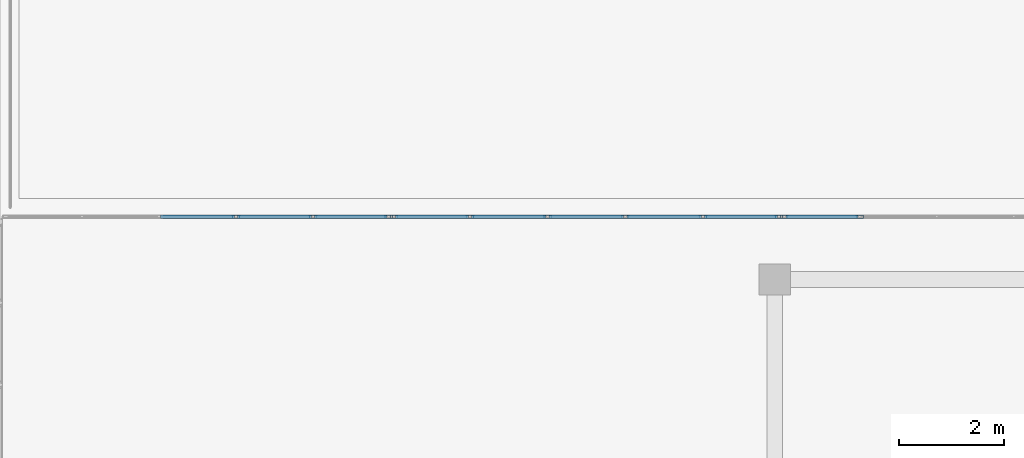
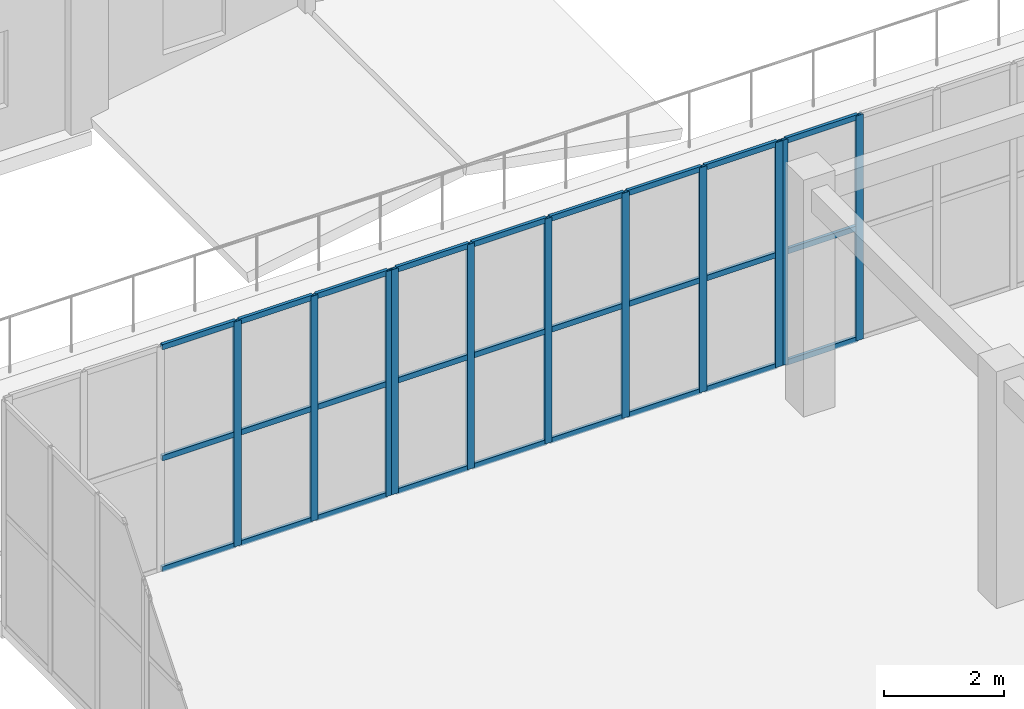
# One storey, part 82 of 158: 38 members, 3 elements without a shape of their own.
"""IFC4 building model written with IfcOpenShell, lengths in metres."""

from ifc_helpers import new_model, si_unit, direction, frame, origin, origin_2d, place, context, subcontext, project, spatial, hollow_rectangle, extrude, material, layer, layer_set, material_profile, profile_set, type_object, element, aggregate, save


model = new_model("IFC4")

# Units and contexts
model_context = context("Model", 3, precision=1e-05, world=origin(), true_north=direction((0.0, 1.0)))
body_context = subcontext(model_context, "Body", "Model", "MODEL_VIEW")
ifc_project = project(units=[si_unit("LENGTHUNIT", "METRE"), si_unit("AREAUNIT", "SQUARE_METRE"), si_unit("VOLUMEUNIT", "CUBIC_METRE"), si_unit("PLANEANGLEUNIT", "RADIAN"), si_unit("MASSUNIT", "GRAM", prefix="KILO")], contexts=[model_context])

# Site, building, storey
site_placement = place(None, origin())
site = spatial("IfcSite", under=ifc_project, at=site_placement, CompositionType="ELEMENT")
building_placement = place(site_placement, origin())
building = spatial("IfcBuilding", under=site, at=building_placement, Name="Trelvath General Hospital", CompositionType="ELEMENT")
storey_placement = place(building_placement, frame((0.0, 0.0, 8.10009765625)))
storey = spatial("IfcBuildingStorey", under=building, at=storey_placement, Name="L02", CompositionType="ELEMENT", Elevation=8.10009765625)

# Curtain wall, members
ifc_material_1 = material(Name="Anodised aluminium and low-E glass", Category="aluminium")
ifc_layer_1 = layer(ifc_material_1, 0.139892578125)
ifc_layer_set_1 = layer_set([ifc_layer_1], Name="Anodised aluminium and low-E glass")
curtain_wall_type_1 = type_object("IfcCurtainWallType", Name="CW CrystalCube 737 456 14", PredefinedType="USERDEFINED", material=ifc_layer_set_1)
curtain_wall_1_placement = place(storey_placement, origin())
curtain_wall_1 = element("IfcCurtainWall", 1, at=curtain_wall_1_placement, inside=storey, type_object=curtain_wall_type_1, Name="Crystal Cube Curtain Wall CUBE-E-T1 N1 L02", ObjectType="Unitised Glazed Curtain Wall", PredefinedType="USERDEFINED")
ifc_material_2 = material(Name="Anodised aluminium", Category="aluminium")
ifc_material_profile_1 = material_profile(ifc_material_2, hollow_rectangle(XDim=0.06005859375, YDim=0.139892578125, WallThickness=0.00390625, at=origin_2d()), Name="RHS60x140x4")
ifc_profile_set_1 = profile_set([ifc_material_profile_1], Name="Anodised aluminium")
member_type_1 = type_object("IfcMemberType", Name="CurtainMullion 60x140", PredefinedType="MULLION", material=ifc_profile_set_1)
member_1_placement = place(storey_placement, frame((96.89990234375, 80.39990234375, 0.0), z_axis=(0.0, 0.0, 1.0), x_axis=(0.0, 1.0, 0.0)))
member_1 = element("IfcMember", 2, at=member_1_placement, type_object=member_type_1, Name="CW-208 mullion 4", PredefinedType="MULLION", context=body_context, shape_type="SweptSolid", body=[
    extrude(hollow_rectangle(XDim=0.06005859375, YDim=0.139892578125, WallThickness=0.00390625, at=origin_2d()), origin(), (0.0, 0.0, 1.0), 4.559814453125),
])
member_2_placement = place(storey_placement, frame((98.373291015625, 80.39990234375, 0.0), z_axis=(0.0, 0.0, 1.0), x_axis=(0.0, 1.0, 0.0)))
member_2 = element("IfcMember", 3, at=member_2_placement, type_object=member_type_1, Name="CW-208 mullion 5", PredefinedType="MULLION", context=body_context, shape_type="SweptSolid", body=[
    extrude(hollow_rectangle(XDim=0.06005859375, YDim=0.139892578125, WallThickness=0.00390625, at=origin_2d()), origin(), (0.0, 0.0, 1.0), 4.559814453125),
])
member_3_placement = place(storey_placement, frame((99.816650390625, 80.39990234375, 0.0), z_axis=(0.0, 0.0, 1.0), x_axis=(0.0, 1.0, 0.0)))
member_3 = element("IfcMember", 4, at=member_3_placement, type_object=member_type_1, Name="CW-208 mullion 6", PredefinedType="MULLION", context=body_context, shape_type="SweptSolid", body=[
    extrude(hollow_rectangle(XDim=0.06005859375, YDim=0.139892578125, WallThickness=0.00390625, at=origin_2d()), origin(), (0.0, 0.0, 1.0), 4.559814453125),
])

ifc_material_3 = material(Name="Anodised aluminium and low-E glass", Category="aluminium")
ifc_layer_2 = layer(ifc_material_3, 0.139892578125)
ifc_layer_set_2 = layer_set([ifc_layer_2], Name="Anodised aluminium and low-E glass")
curtain_wall_type_2 = type_object("IfcCurtainWallType", Name="CW CrystalCube 743 456 14", PredefinedType="USERDEFINED", material=ifc_layer_set_2)
curtain_wall_2_placement = place(storey_placement, origin())
curtain_wall_2 = element("IfcCurtainWall", 5, at=curtain_wall_2_placement, inside=storey, type_object=curtain_wall_type_2, Name="Crystal Cube Curtain Wall CUBE-E-T1 N2 L02", ObjectType="Unitised Glazed Curtain Wall", PredefinedType="USERDEFINED")
member_4_placement = place(storey_placement, frame((99.916748046875, 80.39990234375, 0.0), z_axis=(0.0, 0.0, 1.0), x_axis=(0.0, 1.0, 0.0)))
member_4 = element("IfcMember", 6, at=member_4_placement, type_object=member_type_1, Name="CW-209 mullion 1", PredefinedType="MULLION", context=body_context, shape_type="SweptSolid", body=[
    extrude(hollow_rectangle(XDim=0.06005859375, YDim=0.139892578125, WallThickness=0.00390625, at=origin_2d()), origin(), (0.0, 0.0, 1.0), 4.559814453125),
])
member_5_placement = place(storey_placement, frame((101.3720703125, 80.39990234375, 0.0), z_axis=(0.0, 0.0, 1.0), x_axis=(0.0, 1.0, 0.0)))
member_5 = element("IfcMember", 7, at=member_5_placement, type_object=member_type_1, Name="CW-209 mullion 2", PredefinedType="MULLION", context=body_context, shape_type="SweptSolid", body=[
    extrude(hollow_rectangle(XDim=0.06005859375, YDim=0.139892578125, WallThickness=0.00390625, at=origin_2d()), origin(), (0.0, 0.0, 1.0), 4.559814453125),
])
member_6_placement = place(storey_placement, frame((102.857421875, 80.39990234375, 0.0), z_axis=(0.0, 0.0, 1.0), x_axis=(0.0, 1.0, 0.0)))
member_6 = element("IfcMember", 8, at=member_6_placement, type_object=member_type_1, Name="CW-209 mullion 3", PredefinedType="MULLION", context=body_context, shape_type="SweptSolid", body=[
    extrude(hollow_rectangle(XDim=0.06005859375, YDim=0.139892578125, WallThickness=0.00390625, at=origin_2d()), origin(), (0.0, 0.0, 1.0), 4.559814453125),
])
member_7_placement = place(storey_placement, frame((104.3427734375, 80.39990234375, 0.0), z_axis=(0.0, 0.0, 1.0), x_axis=(0.0, 1.0, 0.0)))
member_7 = element("IfcMember", 9, at=member_7_placement, type_object=member_type_1, Name="CW-209 mullion 4", PredefinedType="MULLION", context=body_context, shape_type="SweptSolid", body=[
    extrude(hollow_rectangle(XDim=0.06005859375, YDim=0.139892578125, WallThickness=0.00390625, at=origin_2d()), origin(), (0.0, 0.0, 1.0), 4.559814453125),
])
member_8_placement = place(storey_placement, frame((105.827880859375, 80.39990234375, 0.0), z_axis=(0.0, 0.0, 1.0), x_axis=(0.0, 1.0, 0.0)))
member_8 = element("IfcMember", 10, at=member_8_placement, type_object=member_type_1, Name="CW-209 mullion 5", PredefinedType="MULLION", context=body_context, shape_type="SweptSolid", body=[
    extrude(hollow_rectangle(XDim=0.06005859375, YDim=0.139892578125, WallThickness=0.00390625, at=origin_2d()), origin(), (0.0, 0.0, 1.0), 4.559814453125),
])
member_9_placement = place(storey_placement, frame((107.283203125, 80.39990234375, 0.0), z_axis=(0.0, 0.0, 1.0), x_axis=(0.0, 1.0, 0.0)))
member_9 = element("IfcMember", 11, at=member_9_placement, type_object=member_type_1, Name="CW-209 mullion 6", PredefinedType="MULLION", context=body_context, shape_type="SweptSolid", body=[
    extrude(hollow_rectangle(XDim=0.06005859375, YDim=0.139892578125, WallThickness=0.00390625, at=origin_2d()), origin(), (0.0, 0.0, 1.0), 4.559814453125),
])

curtain_wall_3_placement = place(storey_placement, origin())
curtain_wall_3 = element("IfcCurtainWall", 12, at=curtain_wall_3_placement, inside=storey, type_object=curtain_wall_type_1, Name="Crystal Cube Curtain Wall CUBE-E-T1 N3 L02", ObjectType="Unitised Glazed Curtain Wall", PredefinedType="USERDEFINED")
member_10_placement = place(storey_placement, frame((107.38330078125, 80.39990234375, 0.0), z_axis=(0.0, 0.0, 1.0), x_axis=(0.0, 1.0, 0.0)))
member_10 = element("IfcMember", 13, at=member_10_placement, type_object=member_type_1, Name="CW-210 mullion 1", PredefinedType="MULLION", context=body_context, shape_type="SweptSolid", body=[
    extrude(hollow_rectangle(XDim=0.06005859375, YDim=0.139892578125, WallThickness=0.00390625, at=origin_2d()), origin(), (0.0, 0.0, 1.0), 4.559814453125),
])
member_11_placement = place(storey_placement, frame((108.82666015625, 80.39990234375, 0.0), z_axis=(0.0, 0.0, 1.0), x_axis=(0.0, 1.0, 0.0)))
member_11 = element("IfcMember", 14, at=member_11_placement, type_object=member_type_1, Name="CW-210 mullion 2", PredefinedType="MULLION", context=body_context, shape_type="SweptSolid", body=[
    extrude(hollow_rectangle(XDim=0.06005859375, YDim=0.139892578125, WallThickness=0.00390625, at=origin_2d()), origin(), (0.0, 0.0, 1.0), 4.559814453125),
])

# Member
ifc_material_4 = material(Name="Anodised aluminium", Category="aluminium")
ifc_material_profile_2 = material_profile(ifc_material_4, hollow_rectangle(XDim=0.06005859375, YDim=0.110107421875, WallThickness=0.00390625, at=origin_2d()), Name="RHS60x110x4")
ifc_profile_set_2 = profile_set([ifc_material_profile_2], Name="Anodised aluminium")
member_type_2 = type_object("IfcMemberType", Name="CurtainTransom 60x110", PredefinedType="USERDEFINED", material=ifc_profile_set_2)
member_12_placement = place(storey_placement, frame((95.456787109375, 80.39990234375, 0.02978515625), z_axis=(1.0, 0.0, 0.0), x_axis=(0.0, 1.0, 0.0)))
member_12 = element("IfcMember", 15, at=member_12_placement, type_object=member_type_2, Name="CW-208 transom 3.1", ObjectType="TRANSOM", PredefinedType="USERDEFINED", context=body_context, shape_type="SweptSolid", body=[
    extrude(hollow_rectangle(XDim=0.06005859375, YDim=0.110107421875, WallThickness=0.00390625, at=origin_2d()), origin(), (0.0, 0.0, 1.0), 1.413330078125),
])

member_13_placement = place(storey_placement, frame((95.456787109375, 80.39990234375, 2.27978515625), z_axis=(1.0, 0.0, 0.0), x_axis=(0.0, 1.0, 0.0)))
member_13 = element("IfcMember", 16, at=member_13_placement, type_object=member_type_2, Name="CW-208 transom 3.2", ObjectType="TRANSOM", PredefinedType="USERDEFINED", context=body_context, shape_type="SweptSolid", body=[
    extrude(hollow_rectangle(XDim=0.06005859375, YDim=0.110107421875, WallThickness=0.00390625, at=origin_2d()), origin(), (0.0, 0.0, 1.0), 1.413330078125),
])

member_14_placement = place(storey_placement, frame((95.456787109375, 80.39990234375, 4.52978515625), z_axis=(1.0, 0.0, 0.0), x_axis=(0.0, 1.0, 0.0)))
member_14 = element("IfcMember", 17, at=member_14_placement, type_object=member_type_2, Name="CW-208 transom 3.3", ObjectType="TRANSOM", PredefinedType="USERDEFINED", context=body_context, shape_type="SweptSolid", body=[
    extrude(hollow_rectangle(XDim=0.06005859375, YDim=0.110107421875, WallThickness=0.00390625, at=origin_2d()), origin(), (0.0, 0.0, 1.0), 1.413330078125),
])

member_15_placement = place(storey_placement, frame((96.929931640625, 80.39990234375, 0.02978515625), z_axis=(1.0, 0.0, 0.0), x_axis=(0.0, 1.0, 0.0)))
member_15 = element("IfcMember", 18, at=member_15_placement, type_object=member_type_2, Name="CW-208 transom 4.1", ObjectType="TRANSOM", PredefinedType="USERDEFINED", context=body_context, shape_type="SweptSolid", body=[
    extrude(hollow_rectangle(XDim=0.06005859375, YDim=0.110107421875, WallThickness=0.00390625, at=origin_2d()), origin(), (0.0, 0.0, 1.0), 1.413330078125),
])

member_16_placement = place(storey_placement, frame((96.929931640625, 80.39990234375, 2.27978515625), z_axis=(1.0, 0.0, 0.0), x_axis=(0.0, 1.0, 0.0)))
member_16 = element("IfcMember", 19, at=member_16_placement, type_object=member_type_2, Name="CW-208 transom 4.2", ObjectType="TRANSOM", PredefinedType="USERDEFINED", context=body_context, shape_type="SweptSolid", body=[
    extrude(hollow_rectangle(XDim=0.06005859375, YDim=0.110107421875, WallThickness=0.00390625, at=origin_2d()), origin(), (0.0, 0.0, 1.0), 1.413330078125),
])

member_17_placement = place(storey_placement, frame((96.929931640625, 80.39990234375, 4.52978515625), z_axis=(1.0, 0.0, 0.0), x_axis=(0.0, 1.0, 0.0)))
member_17 = element("IfcMember", 20, at=member_17_placement, type_object=member_type_2, Name="CW-208 transom 4.3", ObjectType="TRANSOM", PredefinedType="USERDEFINED", context=body_context, shape_type="SweptSolid", body=[
    extrude(hollow_rectangle(XDim=0.06005859375, YDim=0.110107421875, WallThickness=0.00390625, at=origin_2d()), origin(), (0.0, 0.0, 1.0), 1.413330078125),
])

member_18_placement = place(storey_placement, frame((98.4033203125, 80.39990234375, 0.02978515625), z_axis=(1.0, 0.0, 0.0), x_axis=(0.0, 1.0, 0.0)))
member_18 = element("IfcMember", 21, at=member_18_placement, type_object=member_type_2, Name="CW-208 transom 5.1", ObjectType="TRANSOM", PredefinedType="USERDEFINED", context=body_context, shape_type="SweptSolid", body=[
    extrude(hollow_rectangle(XDim=0.06005859375, YDim=0.110107421875, WallThickness=0.00390625, at=origin_2d()), origin(), (0.0, 0.0, 1.0), 1.38330078125),
])

member_19_placement = place(storey_placement, frame((98.4033203125, 80.39990234375, 2.27978515625), z_axis=(1.0, 0.0, 0.0), x_axis=(0.0, 1.0, 0.0)))
member_19 = element("IfcMember", 22, at=member_19_placement, type_object=member_type_2, Name="CW-208 transom 5.2", ObjectType="TRANSOM", PredefinedType="USERDEFINED", context=body_context, shape_type="SweptSolid", body=[
    extrude(hollow_rectangle(XDim=0.06005859375, YDim=0.110107421875, WallThickness=0.00390625, at=origin_2d()), origin(), (0.0, 0.0, 1.0), 1.38330078125),
])

member_20_placement = place(storey_placement, frame((98.4033203125, 80.39990234375, 4.52978515625), z_axis=(1.0, 0.0, 0.0), x_axis=(0.0, 1.0, 0.0)))
member_20 = element("IfcMember", 23, at=member_20_placement, type_object=member_type_2, Name="CW-208 transom 5.3", ObjectType="TRANSOM", PredefinedType="USERDEFINED", context=body_context, shape_type="SweptSolid", body=[
    extrude(hollow_rectangle(XDim=0.06005859375, YDim=0.110107421875, WallThickness=0.00390625, at=origin_2d()), origin(), (0.0, 0.0, 1.0), 1.38330078125),
])

aggregate(curtain_wall_1, [member_1, member_2, member_3, member_12, member_13, member_14, member_15, member_16, member_17, member_18, member_19, member_20])

member_21_placement = place(storey_placement, frame((99.94677734375, 80.39990234375, 0.02978515625), z_axis=(1.0, 0.0, 0.0), x_axis=(0.0, 1.0, 0.0)))
member_21 = element("IfcMember", 24, at=member_21_placement, type_object=member_type_2, Name="CW-209 transom 1.1", ObjectType="TRANSOM", PredefinedType="USERDEFINED", context=body_context, shape_type="SweptSolid", body=[
    extrude(hollow_rectangle(XDim=0.06005859375, YDim=0.110107421875, WallThickness=0.00390625, at=origin_2d()), origin(), (0.0, 0.0, 1.0), 1.395263671875),
])

member_22_placement = place(storey_placement, frame((99.94677734375, 80.39990234375, 2.27978515625), z_axis=(1.0, 0.0, 0.0), x_axis=(0.0, 1.0, 0.0)))
member_22 = element("IfcMember", 25, at=member_22_placement, type_object=member_type_2, Name="CW-209 transom 1.2", ObjectType="TRANSOM", PredefinedType="USERDEFINED", context=body_context, shape_type="SweptSolid", body=[
    extrude(hollow_rectangle(XDim=0.06005859375, YDim=0.110107421875, WallThickness=0.00390625, at=origin_2d()), origin(), (0.0, 0.0, 1.0), 1.395263671875),
])

member_23_placement = place(storey_placement, frame((99.94677734375, 80.39990234375, 4.52978515625), z_axis=(1.0, 0.0, 0.0), x_axis=(0.0, 1.0, 0.0)))
member_23 = element("IfcMember", 26, at=member_23_placement, type_object=member_type_2, Name="CW-209 transom 1.3", ObjectType="TRANSOM", PredefinedType="USERDEFINED", context=body_context, shape_type="SweptSolid", body=[
    extrude(hollow_rectangle(XDim=0.06005859375, YDim=0.110107421875, WallThickness=0.00390625, at=origin_2d()), origin(), (0.0, 0.0, 1.0), 1.395263671875),
])

member_24_placement = place(storey_placement, frame((101.402099609375, 80.39990234375, 0.02978515625), z_axis=(1.0, 0.0, 0.0), x_axis=(0.0, 1.0, 0.0)))
member_24 = element("IfcMember", 27, at=member_24_placement, type_object=member_type_2, Name="CW-209 transom 2.1", ObjectType="TRANSOM", PredefinedType="USERDEFINED", context=body_context, shape_type="SweptSolid", body=[
    extrude(hollow_rectangle(XDim=0.06005859375, YDim=0.110107421875, WallThickness=0.00390625, at=origin_2d()), origin(), (0.0, 0.0, 1.0), 1.42529296875),
])

member_25_placement = place(storey_placement, frame((101.402099609375, 80.39990234375, 2.27978515625), z_axis=(1.0, 0.0, 0.0), x_axis=(0.0, 1.0, 0.0)))
member_25 = element("IfcMember", 28, at=member_25_placement, type_object=member_type_2, Name="CW-209 transom 2.2", ObjectType="TRANSOM", PredefinedType="USERDEFINED", context=body_context, shape_type="SweptSolid", body=[
    extrude(hollow_rectangle(XDim=0.06005859375, YDim=0.110107421875, WallThickness=0.00390625, at=origin_2d()), origin(), (0.0, 0.0, 1.0), 1.42529296875),
])

member_26_placement = place(storey_placement, frame((101.402099609375, 80.39990234375, 4.52978515625), z_axis=(1.0, 0.0, 0.0), x_axis=(0.0, 1.0, 0.0)))
member_26 = element("IfcMember", 29, at=member_26_placement, type_object=member_type_2, Name="CW-209 transom 2.3", ObjectType="TRANSOM", PredefinedType="USERDEFINED", context=body_context, shape_type="SweptSolid", body=[
    extrude(hollow_rectangle(XDim=0.06005859375, YDim=0.110107421875, WallThickness=0.00390625, at=origin_2d()), origin(), (0.0, 0.0, 1.0), 1.42529296875),
])

member_27_placement = place(storey_placement, frame((102.887451171875, 80.39990234375, 0.02978515625), z_axis=(1.0, 0.0, 0.0), x_axis=(0.0, 1.0, 0.0)))
member_27 = element("IfcMember", 30, at=member_27_placement, type_object=member_type_2, Name="CW-209 transom 3.1", ObjectType="TRANSOM", PredefinedType="USERDEFINED", context=body_context, shape_type="SweptSolid", body=[
    extrude(hollow_rectangle(XDim=0.06005859375, YDim=0.110107421875, WallThickness=0.00390625, at=origin_2d()), origin(), (0.0, 0.0, 1.0), 1.42529296875),
])

member_28_placement = place(storey_placement, frame((102.887451171875, 80.39990234375, 2.27978515625), z_axis=(1.0, 0.0, 0.0), x_axis=(0.0, 1.0, 0.0)))
member_28 = element("IfcMember", 31, at=member_28_placement, type_object=member_type_2, Name="CW-209 transom 3.2", ObjectType="TRANSOM", PredefinedType="USERDEFINED", context=body_context, shape_type="SweptSolid", body=[
    extrude(hollow_rectangle(XDim=0.06005859375, YDim=0.110107421875, WallThickness=0.00390625, at=origin_2d()), origin(), (0.0, 0.0, 1.0), 1.42529296875),
])

member_29_placement = place(storey_placement, frame((102.887451171875, 80.39990234375, 4.52978515625), z_axis=(1.0, 0.0, 0.0), x_axis=(0.0, 1.0, 0.0)))
member_29 = element("IfcMember", 32, at=member_29_placement, type_object=member_type_2, Name="CW-209 transom 3.3", ObjectType="TRANSOM", PredefinedType="USERDEFINED", context=body_context, shape_type="SweptSolid", body=[
    extrude(hollow_rectangle(XDim=0.06005859375, YDim=0.110107421875, WallThickness=0.00390625, at=origin_2d()), origin(), (0.0, 0.0, 1.0), 1.42529296875),
])

member_30_placement = place(storey_placement, frame((104.37255859375, 80.39990234375, 0.02978515625), z_axis=(1.0, 0.0, 0.0), x_axis=(0.0, 1.0, 0.0)))
member_30 = element("IfcMember", 33, at=member_30_placement, type_object=member_type_2, Name="CW-209 transom 4.1", ObjectType="TRANSOM", PredefinedType="USERDEFINED", context=body_context, shape_type="SweptSolid", body=[
    extrude(hollow_rectangle(XDim=0.06005859375, YDim=0.110107421875, WallThickness=0.00390625, at=origin_2d()), origin(), (0.0, 0.0, 1.0), 1.425537109375),
])

member_31_placement = place(storey_placement, frame((104.37255859375, 80.39990234375, 2.27978515625), z_axis=(1.0, 0.0, 0.0), x_axis=(0.0, 1.0, 0.0)))
member_31 = element("IfcMember", 34, at=member_31_placement, type_object=member_type_2, Name="CW-209 transom 4.2", ObjectType="TRANSOM", PredefinedType="USERDEFINED", context=body_context, shape_type="SweptSolid", body=[
    extrude(hollow_rectangle(XDim=0.06005859375, YDim=0.110107421875, WallThickness=0.00390625, at=origin_2d()), origin(), (0.0, 0.0, 1.0), 1.425537109375),
])

member_32_placement = place(storey_placement, frame((104.37255859375, 80.39990234375, 4.52978515625), z_axis=(1.0, 0.0, 0.0), x_axis=(0.0, 1.0, 0.0)))
member_32 = element("IfcMember", 35, at=member_32_placement, type_object=member_type_2, Name="CW-209 transom 4.3", ObjectType="TRANSOM", PredefinedType="USERDEFINED", context=body_context, shape_type="SweptSolid", body=[
    extrude(hollow_rectangle(XDim=0.06005859375, YDim=0.110107421875, WallThickness=0.00390625, at=origin_2d()), origin(), (0.0, 0.0, 1.0), 1.425537109375),
])

member_33_placement = place(storey_placement, frame((105.85791015625, 80.39990234375, 0.02978515625), z_axis=(1.0, 0.0, 0.0), x_axis=(0.0, 1.0, 0.0)))
member_33 = element("IfcMember", 36, at=member_33_placement, type_object=member_type_2, Name="CW-209 transom 5.1", ObjectType="TRANSOM", PredefinedType="USERDEFINED", context=body_context, shape_type="SweptSolid", body=[
    extrude(hollow_rectangle(XDim=0.06005859375, YDim=0.110107421875, WallThickness=0.00390625, at=origin_2d()), origin(), (0.0, 0.0, 1.0), 1.3955078125),
])

member_34_placement = place(storey_placement, frame((105.85791015625, 80.39990234375, 2.27978515625), z_axis=(1.0, 0.0, 0.0), x_axis=(0.0, 1.0, 0.0)))
member_34 = element("IfcMember", 37, at=member_34_placement, type_object=member_type_2, Name="CW-209 transom 5.2", ObjectType="TRANSOM", PredefinedType="USERDEFINED", context=body_context, shape_type="SweptSolid", body=[
    extrude(hollow_rectangle(XDim=0.06005859375, YDim=0.110107421875, WallThickness=0.00390625, at=origin_2d()), origin(), (0.0, 0.0, 1.0), 1.3955078125),
])

member_35_placement = place(storey_placement, frame((105.85791015625, 80.39990234375, 4.52978515625), z_axis=(1.0, 0.0, 0.0), x_axis=(0.0, 1.0, 0.0)))
member_35 = element("IfcMember", 38, at=member_35_placement, type_object=member_type_2, Name="CW-209 transom 5.3", ObjectType="TRANSOM", PredefinedType="USERDEFINED", context=body_context, shape_type="SweptSolid", body=[
    extrude(hollow_rectangle(XDim=0.06005859375, YDim=0.110107421875, WallThickness=0.00390625, at=origin_2d()), origin(), (0.0, 0.0, 1.0), 1.3955078125),
])

aggregate(curtain_wall_2, [member_4, member_5, member_6, member_7, member_8, member_9, member_21, member_22, member_23, member_24, member_25, member_26, member_27, member_28, member_29, member_30, member_31, member_32, member_33, member_34, member_35])

member_36_placement = place(storey_placement, frame((107.413330078125, 80.39990234375, 0.02978515625), z_axis=(1.0, 0.0, 0.0), x_axis=(0.0, 1.0, 0.0)))
member_36 = element("IfcMember", 39, at=member_36_placement, type_object=member_type_2, Name="CW-210 transom 1.1", ObjectType="TRANSOM", PredefinedType="USERDEFINED", context=body_context, shape_type="SweptSolid", body=[
    extrude(hollow_rectangle(XDim=0.06005859375, YDim=0.110107421875, WallThickness=0.00390625, at=origin_2d()), origin(), (0.0, 0.0, 1.0), 1.38330078125),
])

member_37_placement = place(storey_placement, frame((107.413330078125, 80.39990234375, 2.27978515625), z_axis=(1.0, 0.0, 0.0), x_axis=(0.0, 1.0, 0.0)))
member_37 = element("IfcMember", 40, at=member_37_placement, type_object=member_type_2, Name="CW-210 transom 1.2", ObjectType="TRANSOM", PredefinedType="USERDEFINED", context=body_context, shape_type="SweptSolid", body=[
    extrude(hollow_rectangle(XDim=0.06005859375, YDim=0.110107421875, WallThickness=0.00390625, at=origin_2d()), origin(), (0.0, 0.0, 1.0), 1.38330078125),
])

member_38_placement = place(storey_placement, frame((107.413330078125, 80.39990234375, 4.52978515625), z_axis=(1.0, 0.0, 0.0), x_axis=(0.0, 1.0, 0.0)))
member_38 = element("IfcMember", 41, at=member_38_placement, type_object=member_type_2, Name="CW-210 transom 1.3", ObjectType="TRANSOM", PredefinedType="USERDEFINED", context=body_context, shape_type="SweptSolid", body=[
    extrude(hollow_rectangle(XDim=0.06005859375, YDim=0.110107421875, WallThickness=0.00390625, at=origin_2d()), origin(), (0.0, 0.0, 1.0), 1.38330078125),
])

aggregate(curtain_wall_3, [member_10, member_11, member_36, member_37, member_38])

save(model, "model.ifc")
